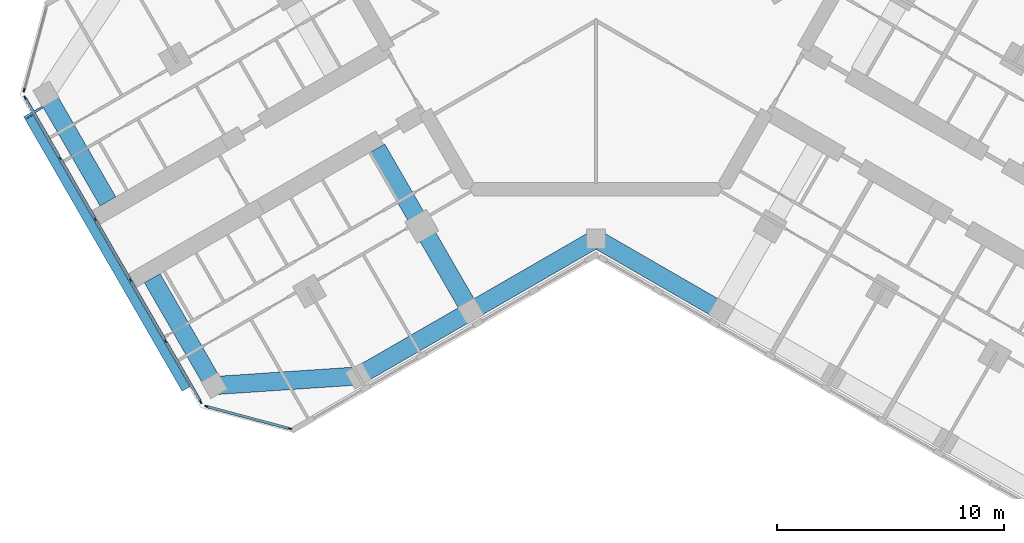
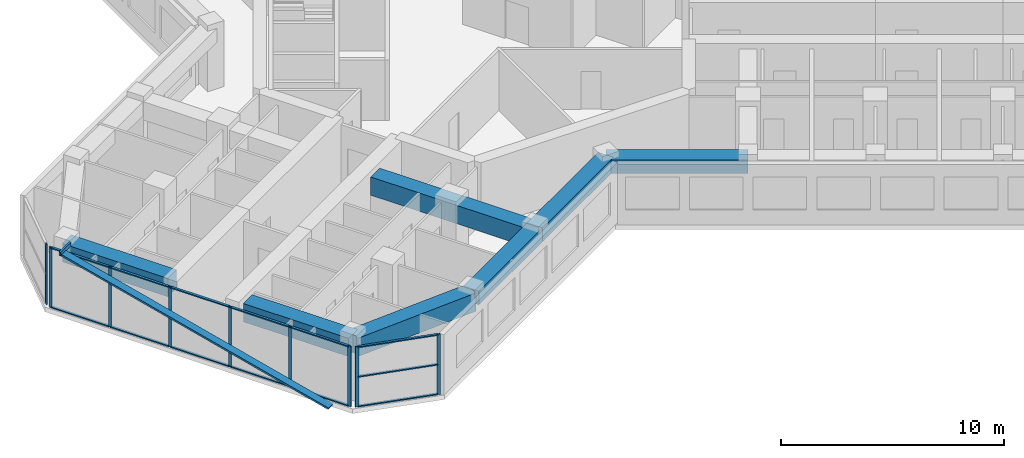
# One storey, part 2 of 16: 24 members, 7 beams, 3 elements without a shape of their own.
"""IFC4 building model written with IfcOpenShell, lengths in metres."""

from ifc_helpers import new_model, si_unit, direction, frame, origin, origin_2d, place, context, subcontext, project, spatial, rectangle, hollow_rectangle, extrude, material, material_profile, profile_set, type_object, element, aggregate, save


model = new_model("IFC4")

# Units and contexts
model_context = context("Model", 3, precision=1e-05, world=origin(), true_north=direction((0.0, 1.0)))
body_context = subcontext(model_context, "Body", "Model", "MODEL_VIEW")
ifc_project = project(units=[si_unit("LENGTHUNIT", "METRE"), si_unit("AREAUNIT", "SQUARE_METRE"), si_unit("VOLUMEUNIT", "CUBIC_METRE"), si_unit("PLANEANGLEUNIT", "RADIAN"), si_unit("MASSUNIT", "GRAM", prefix="KILO")], contexts=[model_context])

# Site, building, storey
site_placement = place(None, origin())
site = spatial("IfcSite", under=ifc_project, at=site_placement, CompositionType="ELEMENT")
building_placement = place(site_placement, origin())
building = spatial("IfcBuilding", under=site, at=building_placement, Name="Kosmar Iwan School Tower", CompositionType="ELEMENT")
storey_placement = place(building_placement, frame((0.0, 0.0, 256.800048828125)))
storey = spatial("IfcBuildingStorey", under=building, at=storey_placement, Name="L65", CompositionType="ELEMENT", Elevation=256.800048828125)

# Beams
ifc_material_1 = material(Name="Concrete C50/60", Category="concrete")
ifc_material_profile_1 = material_profile(ifc_material_1, rectangle(XDim=0.800048828125, YDim=0.75, at=origin_2d()), Name="RC 800x750 + HD 400x634")
ifc_profile_set_1 = profile_set([ifc_material_profile_1], Name="Concrete C50/60")
beam_type_1 = type_object("IfcBeamType", Name="Composite edge beam 800x750 HD 400x634", PredefinedType="BEAM", material=ifc_profile_set_1)
beam_1_placement = place(storey_placement, frame((0.0, -11.77783203125, 2.925048828125), z_axis=(-0.866014293216, -0.500019243575, 0.0), x_axis=(0.500019243575, -0.866014293216, 0.0)))
element("IfcBeam", 1, at=beam_1_placement, inside=storey, type_object=beam_type_1, Name="Edge beam BL1", PredefinedType="BEAM", context=body_context, shape_type="SweptSolid", body=[
    extrude(rectangle(XDim=0.800048828125, YDim=0.75, at=origin_2d()), origin(), (0.0, 0.0, 1.0), 6.361083984375),
])
beam_2_placement = place(storey_placement, frame((-5.5087890625, -14.95849609375, 2.925048828125), z_axis=(-0.866033658841, -0.49998570155, 0.0), x_axis=(0.49998570155, -0.866033658841, 0.0)))
element("IfcBeam", 2, at=beam_2_placement, inside=storey, type_object=beam_type_1, Name="Edge beam BL2", PredefinedType="BEAM", context=body_context, shape_type="SweptSolid", body=[
    extrude(rectangle(XDim=0.800048828125, YDim=0.75, at=origin_2d()), origin(), (0.0, 0.0, 1.0), 5.699951171875),
])
beam_3_placement = place(storey_placement, frame((0.0, -11.77783203125, 2.925048828125), z_axis=(0.866014293216, -0.500019243575, 0.0), x_axis=(0.500019243575, 0.866014293216, 0.0)))
element("IfcBeam", 3, at=beam_3_placement, inside=storey, type_object=beam_type_1, Name="Edge beam CR1", PredefinedType="BEAM", context=body_context, shape_type="SweptSolid", body=[
    extrude(rectangle(XDim=0.800048828125, YDim=0.75, at=origin_2d()), origin(), (0.0, 0.0, 1.0), 6.361083984375),
])
ifc_material_2 = material(Name="Concrete C50/60", Category="concrete")
ifc_material_profile_2 = material_profile(ifc_material_2, rectangle(XDim=0.800048828125, YDim=1.0, at=origin_2d()), Name="RC 800x1000 + HD 400x347")
ifc_profile_set_2 = profile_set([ifc_material_profile_2], Name="Concrete C50/60")
beam_type_2 = type_object("IfcBeamType", Name="Composite tip beam 800x1000 HD 400x347", PredefinedType="BEAM", material=ifc_profile_set_2)
beam_4_placement = place(storey_placement, frame((-10.445068359375, -17.808349609375, 2.800048828125), z_axis=(-0.997755118724, -0.066968074933, 0.0), x_axis=(0.066968074933, -0.997755118724, 0.0)))
element("IfcBeam", 4, at=beam_4_placement, inside=storey, type_object=beam_type_2, Name="Tip beam BL", PredefinedType="BEAM", context=body_context, shape_type="SweptSolid", body=[
    extrude(rectangle(XDim=0.800048828125, YDim=1.0, at=origin_2d()), origin(), (0.0, 0.0, 1.0), 6.3505859375),
])
beam_5_placement = place(storey_placement, frame((-16.781494140625, -18.233642578125, 2.800048828125), z_axis=(-0.500002931134, 0.866023711487, 0.0), x_axis=(-0.866023711487, -0.500002931134, 0.0)))
element("IfcBeam", 5, at=beam_5_placement, inside=storey, type_object=beam_type_2, Name="Tip beam BL to corridor wall", PredefinedType="BEAM", context=body_context, shape_type="SweptSolid", body=[
    extrude(rectangle(XDim=0.800048828125, YDim=1.0, at=origin_2d()), origin(), (0.0, 0.0, 1.0), 5.4501953125),
])
beam_6_placement = place(storey_placement, frame((-24.181396484375, -5.41650390625, 2.800048828125), z_axis=(0.499988730927, -0.866031909889, 0.0), x_axis=(0.866031909889, 0.499988730927, 0.0)))
element("IfcBeam", 6, at=beam_6_placement, inside=storey, type_object=beam_type_2, Name="Tip beam BR to corridor wall", PredefinedType="BEAM", context=body_context, shape_type="SweptSolid", body=[
    extrude(rectangle(XDim=0.800048828125, YDim=1.0, at=origin_2d()), origin(), (0.0, 0.0, 1.0), 5.449951171875),
])
ifc_material_3 = material(Name="Concrete C50/60", Category="concrete")
ifc_material_profile_3 = material_profile(ifc_material_3, rectangle(XDim=0.800048828125, YDim=1.0, at=origin_2d()), Name="RC 800x1000 + HD 400x634")
ifc_profile_set_3 = profile_set([ifc_material_profile_3], Name="Concrete C50/60")
beam_type_3 = type_object("IfcBeamType", Name="Composite transverse beam 800x1000 HD 400x634", PredefinedType="BEAM", material=ifc_profile_set_3)
beam_7_placement = place(storey_placement, frame((-5.5087890625, -14.95849609375, 2.800048828125), z_axis=(-0.499996545922, 0.866027397988, 0.0), x_axis=(-0.866027397988, -0.499996545922, 0.0)))
element("IfcBeam", 7, at=beam_7_placement, inside=storey, type_object=beam_type_3, Name="Transverse beam BL1", PredefinedType="BEAM", context=body_context, shape_type="SweptSolid", body=[
    extrude(rectangle(XDim=0.800048828125, YDim=1.0, at=origin_2d()), origin(), (0.0, 0.0, 1.0), 8.25),
])

# Members
ifc_material_4 = material(Name="Black anodised aluminium", Category="aluminium")
ifc_material_profile_4 = material_profile(ifc_material_4, rectangle(XDim=0.10009765625, YDim=0.39990234375, at=origin_2d()), Name="FIN 100x400")
ifc_profile_set_4 = profile_set([ifc_material_profile_4], Name="Black anodised aluminium")
member_type_1 = type_object("IfcMemberType", Name="Diagonal fin 100x400", PredefinedType="USERDEFINED", material=ifc_profile_set_4)
member_1_placement = place(storey_placement, frame((-18.0283203125, -18.3740234375, -0.150146484375), z_axis=(-0.484226752613, 0.838703700093, 0.249199830464), x_axis=(0.12460009772, -0.21581327844, 0.968452086836)))
element("IfcMember", 8, at=member_1_placement, inside=storey, type_object=member_type_1, Name="Diagonal fin L65-F11", ObjectType="FIN", PredefinedType="USERDEFINED", context=body_context, shape_type="SweptSolid", body=[
    extrude(rectangle(XDim=0.10009765625, YDim=0.39990234375, at=origin_2d()), origin(), (0.0, 0.0, 1.0), 14.245849609375),
])
ifc_material_5 = material(Name="Steel S355", Category="steel")
ifc_material_profile_5 = material_profile(ifc_material_5, hollow_rectangle(XDim=0.10009765625, YDim=0.199951171875, WallThickness=0.008056640625, at=origin_2d()), Name="RHS 200x100x8")
ifc_profile_set_5 = profile_set([ifc_material_profile_5], Name="Steel S355")
member_type_2 = type_object("IfcMemberType", Name="Fin bracket RHS 200x100", PredefinedType="USERDEFINED", material=ifc_profile_set_5)
member_2_placement = place(storey_placement, frame((-24.337158203125, -5.9970703125, 3.449951171875), z_axis=(-0.866058118026, -0.49994333299, 0.0), x_axis=(0.49994333299, -0.866058118026, 0.0)))
element("IfcMember", 9, at=member_2_placement, inside=storey, type_object=member_type_2, Name="Fin bracket L66", ObjectType="FIN BRACKET", PredefinedType="USERDEFINED", context=body_context, shape_type="SweptSolid", body=[
    extrude(hollow_rectangle(XDim=0.10009765625, YDim=0.199951171875, WallThickness=0.008056640625, at=origin_2d()), origin(), (0.0, 0.0, 1.0), 0.9248046875),
])

# Curtain wall, member
ifc_material_6 = material(Name="Dark glass in black aluminium frame", Category="aluminium")
curtain_wall_type_1 = type_object("IfcCurtainWallType", Name="Chamfer curtain wall dark glass", PredefinedType="USERDEFINED", material=ifc_material_6)
curtain_wall_1_placement = place(storey_placement, origin())
curtain_wall_1 = element("IfcCurtainWall", 10, at=curtain_wall_1_placement, inside=storey, type_object=curtain_wall_type_1, Name="Curtain wall L65-F10", ObjectType="FACETED CURTAIN WALL", PredefinedType="USERDEFINED")
ifc_material_7 = material(Name="Black anodised aluminium", Category="aluminium")
ifc_material_profile_6 = material_profile(ifc_material_7, rectangle(XDim=0.06005859375, YDim=0.159912109375, at=origin_2d()), Name="MULLION 60x160")
ifc_profile_set_6 = profile_set([ifc_material_profile_6], Name="Black anodised aluminium")
member_type_3 = type_object("IfcMemberType", Name="Mullion 60x160", PredefinedType="MULLION", material=ifc_profile_set_6)
member_3_placement = place(storey_placement, frame((-25.141845703125, -5.24853515625, 0.0), z_axis=(0.0, 0.0, 1.0), x_axis=(0.965925875495, -0.258818861462, 0.0)))
member_3 = element("IfcMember", 11, at=member_3_placement, type_object=member_type_3, Name="CW2 mullion 2", PredefinedType="MULLION", context=body_context, shape_type="SweptSolid", body=[
    extrude(rectangle(XDim=0.06005859375, YDim=0.159912109375, at=origin_2d()), origin(), (0.0, 0.0, 1.0), 3.300048828125),
])
aggregate(curtain_wall_1, [member_3])

# Curtain wall, members
ifc_material_8 = material(Name="Dark glass in black aluminium frame", Category="aluminium")
curtain_wall_type_2 = type_object("IfcCurtainWallType", Name="Tower curtain wall dark glass", PredefinedType="USERDEFINED", material=ifc_material_8)
curtain_wall_2_placement = place(storey_placement, origin())
curtain_wall_2 = element("IfcCurtainWall", 12, at=curtain_wall_2_placement, inside=storey, type_object=curtain_wall_type_2, Name="Curtain wall L65-F11", ObjectType="UNITISED CURTAIN WALL", PredefinedType="USERDEFINED")
member_4_placement = place(storey_placement, frame((-25.098388671875, -5.578369140625, 0.0), z_axis=(0.0, 0.0, 1.0), x_axis=(0.866025405329, 0.499999997325, 0.0)))
member_4 = element("IfcMember", 13, at=member_4_placement, type_object=member_type_3, Name="CW1 mullion 1", PredefinedType="MULLION", context=body_context, shape_type="SweptSolid", body=[
    extrude(rectangle(XDim=0.06005859375, YDim=0.159912109375, at=origin_2d()), origin(), (0.0, 0.0, 1.0), 3.300048828125),
])
member_5_placement = place(storey_placement, frame((-23.563720703125, -8.236328125, 0.0), z_axis=(0.0, 0.0, 1.0), x_axis=(0.866025405329, 0.499999997325, 0.0)))
member_5 = element("IfcMember", 14, at=member_5_placement, type_object=member_type_3, Name="CW1 mullion 2", PredefinedType="MULLION", context=body_context, shape_type="SweptSolid", body=[
    extrude(rectangle(XDim=0.06005859375, YDim=0.159912109375, at=origin_2d()), origin(), (0.0, 0.0, 1.0), 3.300048828125),
])
member_6_placement = place(storey_placement, frame((-22.01416015625, -10.92041015625, 0.0), z_axis=(0.0, 0.0, 1.0), x_axis=(0.866025405329, 0.499999997325, 0.0)))
member_6 = element("IfcMember", 15, at=member_6_placement, type_object=member_type_3, Name="CW1 mullion 3", PredefinedType="MULLION", context=body_context, shape_type="SweptSolid", body=[
    extrude(rectangle(XDim=0.06005859375, YDim=0.159912109375, at=origin_2d()), origin(), (0.0, 0.0, 1.0), 3.300048828125),
])
member_7_placement = place(storey_placement, frame((-20.46435546875, -13.6044921875, 0.0), z_axis=(0.0, 0.0, 1.0), x_axis=(0.866025405329, 0.499999997325, 0.0)))
member_7 = element("IfcMember", 16, at=member_7_placement, type_object=member_type_3, Name="CW1 mullion 4", PredefinedType="MULLION", context=body_context, shape_type="SweptSolid", body=[
    extrude(rectangle(XDim=0.06005859375, YDim=0.159912109375, at=origin_2d()), origin(), (0.0, 0.0, 1.0), 3.300048828125),
])
member_8_placement = place(storey_placement, frame((-18.914794921875, -16.28857421875, 0.0), z_axis=(0.0, 0.0, 1.0), x_axis=(0.866025405329, 0.499999997325, 0.0)))
member_8 = element("IfcMember", 17, at=member_8_placement, type_object=member_type_3, Name="CW1 mullion 5", PredefinedType="MULLION", context=body_context, shape_type="SweptSolid", body=[
    extrude(rectangle(XDim=0.06005859375, YDim=0.159912109375, at=origin_2d()), origin(), (0.0, 0.0, 1.0), 3.300048828125),
])
member_9_placement = place(storey_placement, frame((-17.380126953125, -18.94677734375, 0.0), z_axis=(0.0, 0.0, 1.0), x_axis=(0.866025405329, 0.499999997325, 0.0)))
member_9 = element("IfcMember", 18, at=member_9_placement, type_object=member_type_3, Name="CW1 mullion 6", PredefinedType="MULLION", context=body_context, shape_type="SweptSolid", body=[
    extrude(rectangle(XDim=0.06005859375, YDim=0.159912109375, at=origin_2d()), origin(), (0.0, 0.0, 1.0), 3.300048828125),
])

curtain_wall_3_placement = place(storey_placement, origin())
curtain_wall_3 = element("IfcCurtainWall", 19, at=curtain_wall_3_placement, inside=storey, type_object=curtain_wall_type_1, Name="Curtain wall L65-F12", ObjectType="FACETED CURTAIN WALL", PredefinedType="USERDEFINED")
member_10_placement = place(storey_placement, frame((-17.1162109375, -19.149169921875, 0.0), z_axis=(0.0, 0.0, 1.0), x_axis=(0.258818861462, 0.965925875495, 0.0)))
member_10 = element("IfcMember", 20, at=member_10_placement, type_object=member_type_3, Name="CW2 mullion 1", PredefinedType="MULLION", context=body_context, shape_type="SweptSolid", body=[
    extrude(rectangle(XDim=0.06005859375, YDim=0.159912109375, at=origin_2d()), origin(), (0.0, 0.0, 1.0), 3.300048828125),
])
member_11_placement = place(storey_placement, frame((-13.466064453125, -20.127197265625, 0.0), z_axis=(0.0, 0.0, 1.0), x_axis=(0.258818861462, 0.965925875495, 0.0)))
member_11 = element("IfcMember", 21, at=member_11_placement, type_object=member_type_3, Name="CW2 mullion 2", PredefinedType="MULLION", context=body_context, shape_type="SweptSolid", body=[
    extrude(rectangle(XDim=0.06005859375, YDim=0.159912109375, at=origin_2d()), origin(), (0.0, 0.0, 1.0), 3.300048828125),
])

# Member
ifc_material_9 = material(Name="Black anodised aluminium", Category="aluminium")
ifc_material_profile_7 = material_profile(ifc_material_9, rectangle(XDim=0.1201171875, YDim=0.06005859375, at=origin_2d()), Name="TRANSOM 60x120")
ifc_profile_set_7 = profile_set([ifc_material_profile_7], Name="Black anodised aluminium")
member_type_4 = type_object("IfcMemberType", Name="Transom 60x120", PredefinedType="USERDEFINED", material=ifc_profile_set_7)
member_12_placement = place(storey_placement, frame((-25.08349609375, -5.604248046875, 0.030029296875), z_axis=(0.499986971506, -0.866032925658, 0.0), x_axis=(0.866032925658, 0.499986971506, 0.0)))
member_12 = element("IfcMember", 22, at=member_12_placement, type_object=member_type_4, Name="CW1 transom 1.1", ObjectType="TRANSOM", PredefinedType="USERDEFINED", context=body_context, shape_type="SweptSolid", body=[
    extrude(rectangle(XDim=0.1201171875, YDim=0.06005859375, at=origin_2d()), origin(), (0.0, 0.0, 1.0), 3.00927734375),
])

member_13_placement = place(storey_placement, frame((-25.08349609375, -5.604248046875, 3.27001953125), z_axis=(0.499986971506, -0.866032925658, 0.0), x_axis=(0.866032925658, 0.499986971506, 0.0)))
member_13 = element("IfcMember", 23, at=member_13_placement, type_object=member_type_4, Name="CW1 transom 1.2", ObjectType="TRANSOM", PredefinedType="USERDEFINED", context=body_context, shape_type="SweptSolid", body=[
    extrude(rectangle(XDim=0.1201171875, YDim=0.06005859375, at=origin_2d()), origin(), (0.0, 0.0, 1.0), 3.00927734375),
])

member_14_placement = place(storey_placement, frame((-23.548828125, -8.262451171875, 0.030029296875), z_axis=(0.500035348339, -0.866004994449, 0.0), x_axis=(0.866004994449, 0.500035348339, 0.0)))
member_14 = element("IfcMember", 24, at=member_14_placement, type_object=member_type_4, Name="CW1 transom 2.1", ObjectType="TRANSOM", PredefinedType="USERDEFINED", context=body_context, shape_type="SweptSolid", body=[
    extrude(rectangle(XDim=0.1201171875, YDim=0.06005859375, at=origin_2d()), origin(), (0.0, 0.0, 1.0), 3.039306640625),
])

member_15_placement = place(storey_placement, frame((-23.548828125, -8.262451171875, 3.27001953125), z_axis=(0.500035348339, -0.866004994449, 0.0), x_axis=(0.866004994449, 0.500035348339, 0.0)))
member_15 = element("IfcMember", 25, at=member_15_placement, type_object=member_type_4, Name="CW1 transom 2.2", ObjectType="TRANSOM", PredefinedType="USERDEFINED", context=body_context, shape_type="SweptSolid", body=[
    extrude(rectangle(XDim=0.1201171875, YDim=0.06005859375, at=origin_2d()), origin(), (0.0, 0.0, 1.0), 3.039306640625),
])

member_16_placement = place(storey_placement, frame((-21.9990234375, -10.946533203125, 0.030029296875), z_axis=(0.499975102327, -0.866039777986, 0.0), x_axis=(0.866039777986, 0.499975102327, 0.0)))
member_16 = element("IfcMember", 26, at=member_16_placement, type_object=member_type_4, Name="CW1 transom 3.1", ObjectType="TRANSOM", PredefinedType="USERDEFINED", context=body_context, shape_type="SweptSolid", body=[
    extrude(rectangle(XDim=0.1201171875, YDim=0.06005859375, at=origin_2d()), origin(), (0.0, 0.0, 1.0), 3.039306640625),
])

member_17_placement = place(storey_placement, frame((-21.9990234375, -10.946533203125, 3.27001953125), z_axis=(0.499975102327, -0.866039777986, 0.0), x_axis=(0.866039777986, 0.499975102327, 0.0)))
member_17 = element("IfcMember", 27, at=member_17_placement, type_object=member_type_4, Name="CW1 transom 3.2", ObjectType="TRANSOM", PredefinedType="USERDEFINED", context=body_context, shape_type="SweptSolid", body=[
    extrude(rectangle(XDim=0.1201171875, YDim=0.06005859375, at=origin_2d()), origin(), (0.0, 0.0, 1.0), 3.039306640625),
])

member_18_placement = place(storey_placement, frame((-20.449462890625, -13.630615234375, 0.030029296875), z_axis=(0.500035348339, -0.866004994449, 0.0), x_axis=(0.866004994449, 0.500035348339, 0.0)))
member_18 = element("IfcMember", 28, at=member_18_placement, type_object=member_type_4, Name="CW1 transom 4.1", ObjectType="TRANSOM", PredefinedType="USERDEFINED", context=body_context, shape_type="SweptSolid", body=[
    extrude(rectangle(XDim=0.1201171875, YDim=0.06005859375, at=origin_2d()), origin(), (0.0, 0.0, 1.0), 3.039306640625),
])

member_19_placement = place(storey_placement, frame((-20.449462890625, -13.630615234375, 3.27001953125), z_axis=(0.500035348339, -0.866004994449, 0.0), x_axis=(0.866004994449, 0.500035348339, 0.0)))
member_19 = element("IfcMember", 29, at=member_19_placement, type_object=member_type_4, Name="CW1 transom 4.2", ObjectType="TRANSOM", PredefinedType="USERDEFINED", context=body_context, shape_type="SweptSolid", body=[
    extrude(rectangle(XDim=0.1201171875, YDim=0.06005859375, at=origin_2d()), origin(), (0.0, 0.0, 1.0), 3.039306640625),
])

member_20_placement = place(storey_placement, frame((-18.89990234375, -16.314697265625, 0.030029296875), z_axis=(0.500022102064, -0.866012642776, 0.0), x_axis=(0.866012642776, 0.500022102064, 0.0)))
member_20 = element("IfcMember", 30, at=member_20_placement, type_object=member_type_4, Name="CW1 transom 5.1", ObjectType="TRANSOM", PredefinedType="USERDEFINED", context=body_context, shape_type="SweptSolid", body=[
    extrude(rectangle(XDim=0.1201171875, YDim=0.06005859375, at=origin_2d()), origin(), (0.0, 0.0, 1.0), 3.009033203125),
])

member_21_placement = place(storey_placement, frame((-18.89990234375, -16.314697265625, 3.27001953125), z_axis=(0.500022102064, -0.866012642776, 0.0), x_axis=(0.866012642776, 0.500022102064, 0.0)))
member_21 = element("IfcMember", 31, at=member_21_placement, type_object=member_type_4, Name="CW1 transom 5.2", ObjectType="TRANSOM", PredefinedType="USERDEFINED", context=body_context, shape_type="SweptSolid", body=[
    extrude(rectangle(XDim=0.1201171875, YDim=0.06005859375, at=origin_2d()), origin(), (0.0, 0.0, 1.0), 3.009033203125),
])

aggregate(curtain_wall_2, [member_4, member_5, member_6, member_7, member_8, member_9, member_12, member_13, member_14, member_15, member_16, member_17, member_18, member_19, member_20, member_21])

member_22_placement = place(storey_placement, frame((-17.08740234375, -19.156982421875, 0.030029296875), z_axis=(0.965940141052, -0.258765615768, 0.0), x_axis=(0.258765615768, 0.965940141052, 0.0)))
member_22 = element("IfcMember", 32, at=member_22_placement, type_object=member_type_4, Name="CW2 transom 1.1", ObjectType="TRANSOM", PredefinedType="USERDEFINED", context=body_context, shape_type="SweptSolid", body=[
    extrude(rectangle(XDim=0.1201171875, YDim=0.06005859375, at=origin_2d()), origin(), (0.0, 0.0, 1.0), 3.71923828125),
])

member_23_placement = place(storey_placement, frame((-17.08740234375, -19.156982421875, 1.64990234375), z_axis=(0.965940141052, -0.258765615768, 0.0), x_axis=(0.258765615768, 0.965940141052, 0.0)))
member_23 = element("IfcMember", 33, at=member_23_placement, type_object=member_type_4, Name="CW2 transom 1.2", ObjectType="TRANSOM", PredefinedType="USERDEFINED", context=body_context, shape_type="SweptSolid", body=[
    extrude(rectangle(XDim=0.1201171875, YDim=0.06005859375, at=origin_2d()), origin(), (0.0, 0.0, 1.0), 3.71923828125),
])

member_24_placement = place(storey_placement, frame((-17.08740234375, -19.156982421875, 3.27001953125), z_axis=(0.965940141052, -0.258765615768, 0.0), x_axis=(0.258765615768, 0.965940141052, 0.0)))
member_24 = element("IfcMember", 34, at=member_24_placement, type_object=member_type_4, Name="CW2 transom 1.3", ObjectType="TRANSOM", PredefinedType="USERDEFINED", context=body_context, shape_type="SweptSolid", body=[
    extrude(rectangle(XDim=0.1201171875, YDim=0.06005859375, at=origin_2d()), origin(), (0.0, 0.0, 1.0), 3.71923828125),
])

aggregate(curtain_wall_3, [member_10, member_11, member_22, member_23, member_24])

save(model, "model.ifc")
